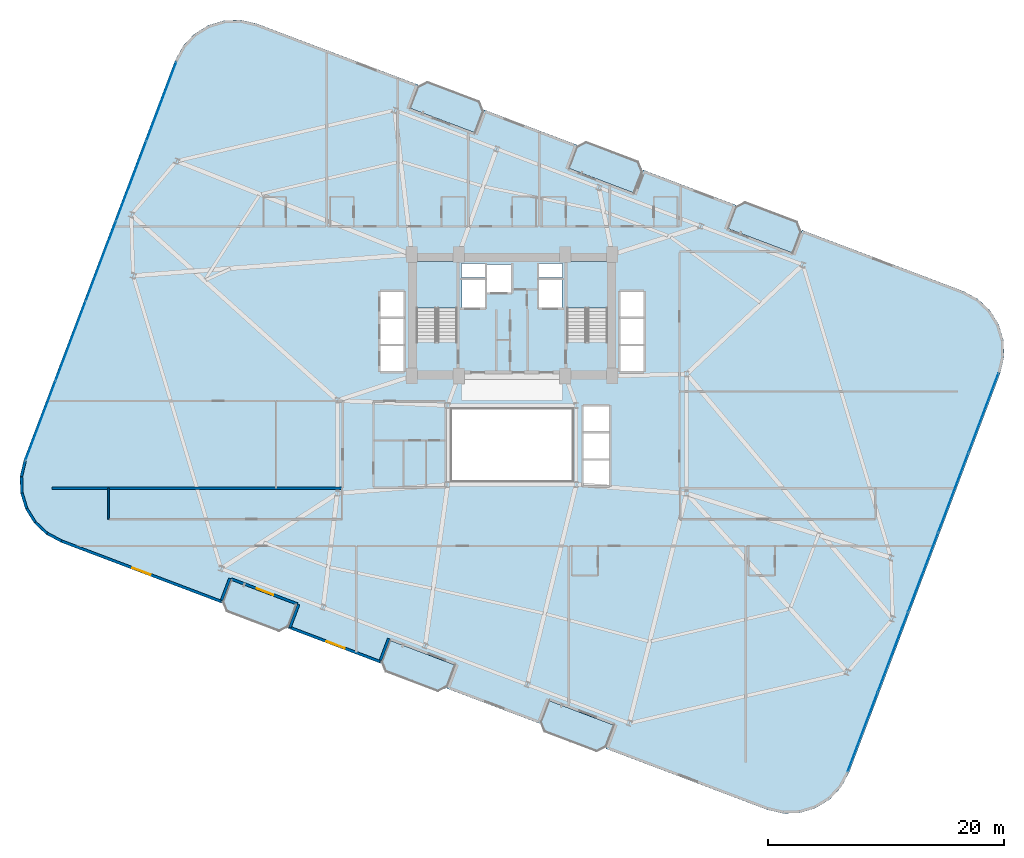
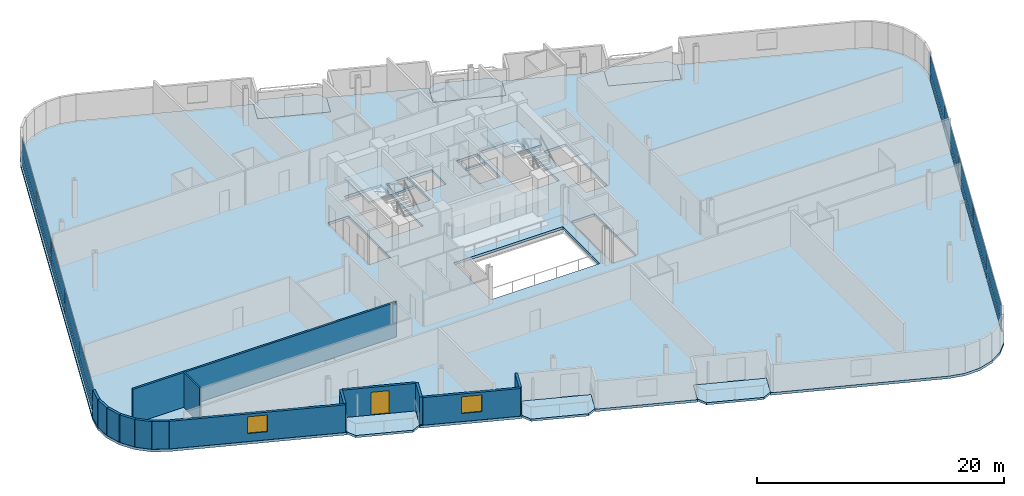
# One storey, part 16 of 24: 20 plates, 14 walls, 9 slabs, 2 windows, 1 door, 3 openings, 4 elements without a shape of their own.
"""IFC4 building model written with IfcOpenShell, lengths in metres."""

from ifc_helpers import new_model, si_unit, direction, frame, frame_2d, origin, origin_2d, place, context, subcontext, project, spatial, polyline, rectangle, outline, extrude, source, transform, mapped, material, layer, layer_set, type_object, element, fill, aggregate, save


model = new_model("IFC4")

# Units and contexts
model_context = context("Model", 3, precision=1e-05, world=origin(), true_north=direction((0.0, 1.0)))
body_context = subcontext(model_context, "Body", "Model", "MODEL_VIEW")
ifc_project = project(units=[si_unit("LENGTHUNIT", "METRE"), si_unit("AREAUNIT", "SQUARE_METRE"), si_unit("VOLUMEUNIT", "CUBIC_METRE"), si_unit("PLANEANGLEUNIT", "RADIAN"), si_unit("MASSUNIT", "GRAM", prefix="KILO")], contexts=[model_context])

# Site, building, storey
site_placement = place(None, origin())
site = spatial("IfcSite", under=ifc_project, at=site_placement, CompositionType="ELEMENT")
building_placement = place(site_placement, origin())
building = spatial("IfcBuilding", under=site, at=building_placement, Name="Varnelok Gate Tower", CompositionType="ELEMENT")
storey_placement = place(building_placement, frame((0.0, 0.0, 94.699951171875)))
storey = spatial("IfcBuildingStorey", under=building, at=storey_placement, Name="L23", CompositionType="ELEMENT", Elevation=94.699951171875)

# Slabs
ifc_material_1 = material(Name="Concrete C45/55", Category="concrete")
ifc_layer_1 = layer(ifc_material_1, 0.219970703125)
ifc_layer_set_1 = layer_set([ifc_layer_1], Name="Concrete C45/55")
slab_type_1 = type_object("IfcSlabType", Name="SLB-BALC-220", PredefinedType="FLOOR", material=ifc_layer_set_1)
slab_1_placement = place(storey_placement, frame((0.0, 0.0, -0.219970703125)))
element("IfcSlab", 1, at=slab_1_placement, inside=storey, type_object=slab_type_1, Name="L23 South Hollow Balcony 1", PredefinedType="FLOOR", context=body_context, shape_type="SweptSolid", body=[
    extrude(outline(polyline([(14.64208984375, 9.576416015625), (15.019775390625, 8.738525390625), (19.415283203125, 7.074462890625), (20.25341796875, 7.4521484375), (20.96142578125, 9.322509765625), (15.35009765625, 11.447021484375), (14.64208984375, 9.576416015625)])), origin(), (0.0, 0.0, 1.0), 0.219970703125),
])
slab_2_placement = place(storey_placement, frame((0.0, 0.0, -0.219970703125)))
element("IfcSlab", 2, at=slab_2_placement, inside=storey, type_object=slab_type_1, Name="L23 South Hollow Balcony 2", PredefinedType="FLOOR", context=body_context, shape_type="SweptSolid", body=[
    extrude(outline(polyline([(28.109375, 4.47802734375), (28.487060546875, 3.639892578125), (32.882568359375, 1.975830078125), (33.720703125, 2.353515625), (34.4287109375, 4.22412109375), (28.8173828125, 6.348388671875), (28.109375, 4.47802734375)])), origin(), (0.0, 0.0, 1.0), 0.219970703125),
])
slab_3_placement = place(storey_placement, frame((0.0, 0.0, -0.219970703125)))
element("IfcSlab", 3, at=slab_3_placement, inside=storey, type_object=slab_type_1, Name="L23 South Hollow Balcony 3", PredefinedType="FLOOR", context=body_context, shape_type="SweptSolid", body=[
    extrude(outline(polyline([(41.576416015625, -0.62060546875), (41.9541015625, -1.45849609375), (46.349853515625, -3.12255859375), (47.187744140625, -2.744873046875), (47.89599609375, -0.87451171875), (42.28466796875, 1.25), (41.576416015625, -0.62060546875)])), origin(), (0.0, 0.0, 1.0), 0.219970703125),
])
slab_4_placement = place(storey_placement, frame((0.0, 0.0, -0.219970703125)))
element("IfcSlab", 4, at=slab_4_placement, inside=storey, type_object=slab_type_1, Name="L23 North Hollow Balcony 1", PredefinedType="FLOOR", context=body_context, shape_type="SweptSolid", body=[
    extrude(outline(polyline([(30.504150390625, 51.474365234375), (36.115478515625, 49.35009765625), (36.823486328125, 51.220458984375), (36.44580078125, 52.05859375), (32.05029296875, 53.72265625), (31.212158203125, 53.344970703125), (30.504150390625, 51.474365234375)])), origin(), (0.0, 0.0, 1.0), 0.219970703125),
])
slab_5_placement = place(storey_placement, frame((0.0, 0.0, -0.219970703125)))
element("IfcSlab", 5, at=slab_5_placement, inside=storey, type_object=slab_type_1, Name="L23 North Hollow Balcony 2", PredefinedType="FLOOR", context=body_context, shape_type="SweptSolid", body=[
    extrude(outline(polyline([(43.97119140625, 46.3759765625), (49.58251953125, 44.251708984375), (50.290771484375, 46.1220703125), (49.9130859375, 46.9599609375), (45.517333984375, 48.6240234375), (44.679443359375, 48.246337890625), (43.97119140625, 46.3759765625)])), origin(), (0.0, 0.0, 1.0), 0.219970703125),
])
slab_6_placement = place(storey_placement, frame((0.0, 0.0, -0.219970703125)))
element("IfcSlab", 6, at=slab_6_placement, inside=storey, type_object=slab_type_1, Name="L23 North Hollow Balcony 3", PredefinedType="FLOOR", context=body_context, shape_type="SweptSolid", body=[
    extrude(outline(polyline([(57.4384765625, 41.27734375), (63.0498046875, 39.153076171875), (63.7578125, 41.0234375), (63.380126953125, 41.861572265625), (58.984619140625, 43.525634765625), (58.146484375, 43.14794921875), (57.4384765625, 41.27734375)])), origin(), (0.0, 0.0, 1.0), 0.219970703125),
])

# Stair, slab
ifc_material_2 = material(Name="Concrete C50/60", Category="concrete")
stair_type = type_object("IfcStairType", Name="STR-CORE-1650", PredefinedType="HALF_TURN_STAIR", material=ifc_material_2)
stair_1_placement = place(storey_placement, origin())
stair_1 = element("IfcStair", 7, at=stair_1_placement, inside=storey, type_object=stair_type, Name="L23 Exit Stair ST-1", PredefinedType="HALF_TURN_STAIR")
ifc_layer_2 = layer(ifc_material_1, 0.199951171875)
ifc_layer_set_2 = layer_set([ifc_layer_2], Name="Concrete C45/55")
slab_type_2 = type_object("IfcSlabType", Name="SLB-LAND-200", PredefinedType="LANDING", material=ifc_layer_set_2)
slab_7_placement = place(storey_placement, frame((0.0, 0.0, 1.650146484375)))
slab_7 = element("IfcSlab", 8, at=slab_7_placement, type_object=slab_type_2, Name="ST-1 landing 1", PredefinedType="LANDING", context=body_context, shape_type="SweptSolid", body=[
    extrude(outline(polyline([(34.550048828125, 34.5), (34.550048828125, 38.449951171875), (31.10009765625, 38.449951171875), (31.10009765625, 34.5), (34.550048828125, 34.5)])), origin(), (0.0, 0.0, 1.0), 0.199951171875),
])
aggregate(stair_1, [slab_7])

stair_2_placement = place(storey_placement, origin())
stair_2 = element("IfcStair", 9, at=stair_2_placement, inside=storey, type_object=stair_type, Name="L23 Exit Stair ST-2", PredefinedType="HALF_TURN_STAIR")
slab_8_placement = place(storey_placement, frame((0.0, 0.0, 1.650146484375)))
slab_8 = element("IfcSlab", 10, at=slab_8_placement, type_object=slab_type_2, Name="ST-2 landing 1", PredefinedType="LANDING", context=body_context, shape_type="SweptSolid", body=[
    extrude(outline(polyline([(47.300048828125, 34.5), (47.300048828125, 38.449951171875), (43.85009765625, 38.449951171875), (43.85009765625, 34.5), (47.300048828125, 34.5)])), origin(), (0.0, 0.0, 1.0), 0.199951171875),
])
aggregate(stair_2, [slab_8])

# Slab
ifc_layer_3 = layer(ifc_material_2, 0.25)
ifc_layer_set_3 = layer_set([ifc_layer_3], Name="Concrete C50/60")
slab_type_3 = type_object("IfcSlabType", Name="SLB-TYP-250", PredefinedType="FLOOR", material=ifc_layer_set_3)
slab_9_placement = place(storey_placement, frame((0.0, 0.0, -0.25)))
element("IfcSlab", 11, at=slab_9_placement, inside=storey, type_object=slab_type_3, Name="L23 Structural Floor Slab", PredefinedType="FLOOR", context=body_context, shape_type="SweptSolid", body=[
    extrude(outline(polyline([(-2.185791015625, 21.614501953125), (-2.508544921875, 20.2421875), (-2.465087890625, 18.833251953125), (-2.05859375, 17.4833984375), (-1.31640625, 16.284912109375), (-0.28955078125, 15.319091796875), (0.952392578125, 14.65234375), (12.05029296875, 10.45068359375), (14.606689453125, 9.48291015625), (15.35009765625, 11.447021484375), (20.96142578125, 9.322509765625), (20.218017578125, 7.358642578125), (28.073974609375, 4.384521484375), (28.8173828125, 6.348388671875), (34.4287109375, 4.22412109375), (33.685302734375, 2.260009765625), (41.541015625, -0.714111328125), (42.28466796875, 1.25), (47.89599609375, -0.87451171875), (47.15234375, -2.83837890625), (49.708740234375, -3.80615234375), (60.806640625, -8.0078125), (62.1787109375, -8.33056640625), (63.587890625, -8.287109375), (64.937744140625, -7.880615234375), (66.13623046875, -7.138427734375), (67.101806640625, -6.111328125), (67.768798828125, -4.869384765625), (80.585693359375, 28.985595703125), (80.90869140625, 30.35791015625), (80.865234375, 31.766845703125), (80.45849609375, 33.11669921875), (79.716552734375, 34.315185546875), (78.689453125, 35.28076171875), (77.447509765625, 35.94775390625), (66.349609375, 40.1494140625), (63.793212890625, 41.116943359375), (63.0498046875, 39.153076171875), (57.4384765625, 41.27734375), (58.181884765625, 43.241455078125), (50.326171875, 46.215576171875), (49.58251953125, 44.251708984375), (43.97119140625, 46.3759765625), (44.71484375, 48.33984375), (36.85888671875, 51.31396484375), (36.115478515625, 49.35009765625), (30.504150390625, 51.474365234375), (31.24755859375, 53.4384765625), (28.69140625, 54.40625), (17.593505859375, 58.607666015625), (16.22119140625, 58.930419921875), (14.81201171875, 58.886962890625), (13.46240234375, 58.48046875), (12.263916015625, 57.73828125), (11.298095703125, 56.71142578125), (10.631103515625, 55.469482421875), (-2.185791015625, 21.614501953125)]), holes=[polyline([(34.550048828125, 31.679931640625), (34.550048828125, 38.449951171875), (31.10009765625, 38.449951171875), (31.10009765625, 31.679931640625), (34.550048828125, 31.679931640625)]), polyline([(47.300048828125, 31.679931640625), (47.300048828125, 38.449951171875), (43.85009765625, 38.449951171875), (43.85009765625, 31.679931640625), (47.300048828125, 31.679931640625)]), polyline([(34.949951171875, 34.550048828125), (36.89990234375, 34.550048828125), (36.89990234375, 36.89990234375), (34.949951171875, 36.89990234375), (34.949951171875, 34.550048828125)]), polyline([(41.5, 34.550048828125), (43.449951171875, 34.550048828125), (43.449951171875, 36.89990234375), (41.5, 36.89990234375), (41.5, 34.550048828125)]), polyline([(37.050048828125, 35.85009765625), (39.14990234375, 35.85009765625), (39.14990234375, 38.199951171875), (37.050048828125, 38.199951171875), (37.050048828125, 35.85009765625)]), polyline([(28.050048828125, 29.14990234375), (30.050048828125, 29.14990234375), (30.050048828125, 35.89990234375), (28.050048828125, 35.89990234375), (28.050048828125, 29.14990234375)]), polyline([(48.35009765625, 29.14990234375), (50.35009765625, 29.14990234375), (50.35009765625, 35.89990234375), (48.35009765625, 35.89990234375), (48.35009765625, 29.14990234375)]), polyline([(45.25, 19.449951171875), (47.449951171875, 19.449951171875), (47.449951171875, 26.199951171875), (45.25, 26.199951171875), (45.25, 19.449951171875)]), polyline([(34.919921875, 37.080078125), (36.89990234375, 37.080078125), (36.89990234375, 38.280029296875), (34.919921875, 38.280029296875), (34.919921875, 37.080078125)]), polyline([(41.5, 37.080078125), (43.47998046875, 37.080078125), (43.47998046875, 38.280029296875), (41.5, 38.280029296875), (41.5, 37.080078125)]), polyline([(34.10009765625, 19.89990234375), (44.300048828125, 19.89990234375), (44.300048828125, 25.89990234375), (34.10009765625, 25.89990234375), (34.10009765625, 19.89990234375)])]), origin(), (0.0, 0.0, 1.0), 0.25),
])

# Curtain wall, plates
ifc_material_3 = material(Name="Anodized Aluminum Alloy 6063-T6", Category="aluminium")
ifc_layer_4 = layer(ifc_material_3, 0.179931640625)
ifc_layer_set_4 = layer_set([ifc_layer_4], Name="Anodized Aluminum Alloy 6063-T6")
curtain_wall_type = type_object("IfcCurtainWallType", Name="CW3-HOTEL-VISION", PredefinedType="USERDEFINED", material=ifc_layer_set_4)
curtain_wall_1_placement = place(storey_placement, origin())
curtain_wall_1 = element("IfcCurtainWall", 12, at=curtain_wall_1_placement, inside=storey, type_object=curtain_wall_type, Name="L23 West End Vision Curtain Wall", ObjectType="UNITISED CURTAIN WALL", PredefinedType="USERDEFINED")
ifc_material_4 = material(Name="Low-E Laminated Double Glazing IGU", Category="glass")
ifc_layer_5 = layer(ifc_material_4, 0.031982421875)
ifc_layer_set_5 = layer_set([ifc_layer_5], Name="Low-E Laminated Double Glazing IGU")
plate_type = type_object("IfcPlateType", Name="CW-PNL-IGU32", PredefinedType="CURTAIN_PANEL", material=ifc_layer_set_5)
shared_shape_1 = source(origin(), body_context, "Body", "SweptSolid", [
    extrude(rectangle(XDim=7.142578125, YDim=0.031982421875, at=origin_2d()), origin(), (0.0, 0.0, 1.0), 0.802490234375),
])
plate_1_placement = place(storey_placement, frame((-0.767333984375, 24.965576171875, 0.06494140625), z_axis=(0.0, 0.0, 1.0), x_axis=(0.354063660545, 0.935221323688, 0.0)))
plate_1 = element("IfcPlate", 13, at=plate_1_placement, type_object=plate_type, Name="CW3 panel 1.1", PredefinedType="CURTAIN_PANEL", context=body_context, shape_type="MappedRepresentation", body=[
    mapped(shared_shape_1, transform((0.0, 0.0, 0.0), scale=1.0)),
])
plate_2_placement = place(storey_placement, frame((9.474853515625, 52.019287109375, 0.06494140625), z_axis=(0.0, 0.0, 1.0), x_axis=(0.354063660545, 0.935221323688, 0.0)))
plate_2 = element("IfcPlate", 14, at=plate_2_placement, type_object=plate_type, Name="CW3 panel 5.1", PredefinedType="CURTAIN_PANEL", context=body_context, shape_type="MappedRepresentation", body=[
    mapped(shared_shape_1, transform((0.0, 0.0, 0.0), scale=1.0)),
])

curtain_wall_2_placement = place(storey_placement, origin())
curtain_wall_2 = element("IfcCurtainWall", 15, at=curtain_wall_2_placement, inside=storey, type_object=curtain_wall_type, Name="L23 East End Vision Curtain Wall", ObjectType="UNITISED CURTAIN WALL", PredefinedType="USERDEFINED")
plate_3_placement = place(storey_placement, frame((79.16748046875, 25.634521484375, 0.06494140625), z_axis=(0.0, 0.0, 1.0), x_axis=(-0.354063660545, -0.935221323688, 0.0)))
plate_3 = element("IfcPlate", 16, at=plate_3_placement, type_object=plate_type, Name="CW3 panel 1.1", PredefinedType="CURTAIN_PANEL", context=body_context, shape_type="MappedRepresentation", body=[
    mapped(shared_shape_1, transform((0.0, 0.0, 0.0), scale=1.0)),
])
plate_4_placement = place(storey_placement, frame((68.92529296875, -1.419189453125, 0.06494140625), z_axis=(0.0, 0.0, 1.0), x_axis=(-0.354063660545, -0.935221323688, 0.0)))
plate_4 = element("IfcPlate", 17, at=plate_4_placement, type_object=plate_type, Name="CW3 panel 5.1", PredefinedType="CURTAIN_PANEL", context=body_context, shape_type="MappedRepresentation", body=[
    mapped(shared_shape_1, transform((0.0, 0.0, 0.0), scale=1.0)),
])

# Plate
shared_shape_2 = source(origin(), body_context, "Body", "SweptSolid", [
    extrude(rectangle(XDim=7.142578125, YDim=0.031982421875, at=origin_2d()), origin(), (0.0, 0.0, 1.0), 1.732421875),
])
plate_5_placement = place(storey_placement, frame((-0.767333984375, 24.965576171875, 0.9326171875), z_axis=(0.0, 0.0, 1.0), x_axis=(0.354063660545, 0.935221323688, 0.0)))
plate_5 = element("IfcPlate", 18, at=plate_5_placement, type_object=plate_type, Name="CW3 panel 1.2", PredefinedType="CURTAIN_PANEL", context=body_context, shape_type="MappedRepresentation", body=[
    mapped(shared_shape_2, transform((0.0, 0.0, 0.0), scale=1.0)),
])

plate_6_placement = place(storey_placement, frame((9.474853515625, 52.019287109375, 0.9326171875), z_axis=(0.0, 0.0, 1.0), x_axis=(0.354063660545, 0.935221323688, 0.0)))
plate_6 = element("IfcPlate", 19, at=plate_6_placement, type_object=plate_type, Name="CW3 panel 5.2", PredefinedType="CURTAIN_PANEL", context=body_context, shape_type="MappedRepresentation", body=[
    mapped(shared_shape_2, transform((0.0, 0.0, 0.0), scale=1.0)),
])

plate_7_placement = place(storey_placement, frame((79.16748046875, 25.634521484375, 0.9326171875), z_axis=(0.0, 0.0, 1.0), x_axis=(-0.354063660545, -0.935221323688, 0.0)))
plate_7 = element("IfcPlate", 20, at=plate_7_placement, type_object=plate_type, Name="CW3 panel 1.2", PredefinedType="CURTAIN_PANEL", context=body_context, shape_type="MappedRepresentation", body=[
    mapped(shared_shape_2, transform((0.0, 0.0, 0.0), scale=1.0)),
])

plate_8_placement = place(storey_placement, frame((68.92529296875, -1.419189453125, 0.9326171875), z_axis=(0.0, 0.0, 1.0), x_axis=(-0.354063660545, -0.935221323688, 0.0)))
plate_8 = element("IfcPlate", 21, at=plate_8_placement, type_object=plate_type, Name="CW3 panel 5.2", PredefinedType="CURTAIN_PANEL", context=body_context, shape_type="MappedRepresentation", body=[
    mapped(shared_shape_2, transform((0.0, 0.0, 0.0), scale=1.0)),
])

shared_shape_3 = source(origin(), body_context, "Body", "SweptSolid", [
    extrude(rectangle(XDim=7.175048828125, YDim=0.031982421875, at=origin_2d()), origin(), (0.0, 0.0, 1.0), 0.802490234375),
])
plate_9_placement = place(storey_placement, frame((1.790283203125, 31.721435546875, 0.06494140625), z_axis=(0.0, 0.0, 1.0), x_axis=(0.354063660545, 0.935221323688, 0.0)))
plate_9 = element("IfcPlate", 22, at=plate_9_placement, type_object=plate_type, Name="CW3 panel 2.1", PredefinedType="CURTAIN_PANEL", context=body_context, shape_type="MappedRepresentation", body=[
    mapped(shared_shape_3, transform((0.0, 0.0, 0.0), scale=1.0)),
])

plate_10_placement = place(storey_placement, frame((4.353759765625, 38.492431640625, 0.06494140625), z_axis=(0.0, 0.0, 1.0), x_axis=(0.354063660545, 0.935221323688, 0.0)))
plate_10 = element("IfcPlate", 23, at=plate_10_placement, type_object=plate_type, Name="CW3 panel 3.1", PredefinedType="CURTAIN_PANEL", context=body_context, shape_type="MappedRepresentation", body=[
    mapped(shared_shape_3, transform((0.0, 0.0, 0.0), scale=1.0)),
])

plate_11_placement = place(storey_placement, frame((6.9169921875, 45.263427734375, 0.06494140625), z_axis=(0.0, 0.0, 1.0), x_axis=(0.354063660545, 0.935221323688, 0.0)))
plate_11 = element("IfcPlate", 24, at=plate_11_placement, type_object=plate_type, Name="CW3 panel 4.1", PredefinedType="CURTAIN_PANEL", context=body_context, shape_type="MappedRepresentation", body=[
    mapped(shared_shape_3, transform((0.0, 0.0, 0.0), scale=1.0)),
])

plate_12_placement = place(storey_placement, frame((76.60986328125, 18.878662109375, 0.06494140625), z_axis=(0.0, 0.0, 1.0), x_axis=(-0.354063660545, -0.935221323688, 0.0)))
plate_12 = element("IfcPlate", 25, at=plate_12_placement, type_object=plate_type, Name="CW3 panel 2.1", PredefinedType="CURTAIN_PANEL", context=body_context, shape_type="MappedRepresentation", body=[
    mapped(shared_shape_3, transform((0.0, 0.0, 0.0), scale=1.0)),
])

plate_13_placement = place(storey_placement, frame((74.04638671875, 12.107666015625, 0.06494140625), z_axis=(0.0, 0.0, 1.0), x_axis=(-0.354063660545, -0.935221323688, 0.0)))
plate_13 = element("IfcPlate", 26, at=plate_13_placement, type_object=plate_type, Name="CW3 panel 3.1", PredefinedType="CURTAIN_PANEL", context=body_context, shape_type="MappedRepresentation", body=[
    mapped(shared_shape_3, transform((0.0, 0.0, 0.0), scale=1.0)),
])

plate_14_placement = place(storey_placement, frame((71.48291015625, 5.336669921875, 0.06494140625), z_axis=(0.0, 0.0, 1.0), x_axis=(-0.354063660545, -0.935221323688, 0.0)))
plate_14 = element("IfcPlate", 27, at=plate_14_placement, type_object=plate_type, Name="CW3 panel 4.1", PredefinedType="CURTAIN_PANEL", context=body_context, shape_type="MappedRepresentation", body=[
    mapped(shared_shape_3, transform((0.0, 0.0, 0.0), scale=1.0)),
])

shared_shape_4 = source(origin(), body_context, "Body", "SweptSolid", [
    extrude(rectangle(XDim=7.175048828125, YDim=0.031982421875, at=origin_2d()), origin(), (0.0, 0.0, 1.0), 1.732421875),
])
plate_15_placement = place(storey_placement, frame((1.790283203125, 31.721435546875, 0.9326171875), z_axis=(0.0, 0.0, 1.0), x_axis=(0.354063660545, 0.935221323688, 0.0)))
plate_15 = element("IfcPlate", 28, at=plate_15_placement, type_object=plate_type, Name="CW3 panel 2.2", PredefinedType="CURTAIN_PANEL", context=body_context, shape_type="MappedRepresentation", body=[
    mapped(shared_shape_4, transform((0.0, 0.0, 0.0), scale=1.0)),
])

plate_16_placement = place(storey_placement, frame((4.353759765625, 38.492431640625, 0.9326171875), z_axis=(0.0, 0.0, 1.0), x_axis=(0.354063660545, 0.935221323688, 0.0)))
plate_16 = element("IfcPlate", 29, at=plate_16_placement, type_object=plate_type, Name="CW3 panel 3.2", PredefinedType="CURTAIN_PANEL", context=body_context, shape_type="MappedRepresentation", body=[
    mapped(shared_shape_4, transform((0.0, 0.0, 0.0), scale=1.0)),
])

plate_17_placement = place(storey_placement, frame((6.9169921875, 45.263427734375, 0.9326171875), z_axis=(0.0, 0.0, 1.0), x_axis=(0.354063660545, 0.935221323688, 0.0)))
plate_17 = element("IfcPlate", 30, at=plate_17_placement, type_object=plate_type, Name="CW3 panel 4.2", PredefinedType="CURTAIN_PANEL", context=body_context, shape_type="MappedRepresentation", body=[
    mapped(shared_shape_4, transform((0.0, 0.0, 0.0), scale=1.0)),
])

aggregate(curtain_wall_1, [plate_1, plate_5, plate_9, plate_15, plate_10, plate_16, plate_11, plate_17, plate_2, plate_6])

plate_18_placement = place(storey_placement, frame((76.60986328125, 18.878662109375, 0.9326171875), z_axis=(0.0, 0.0, 1.0), x_axis=(-0.354063660545, -0.935221323688, 0.0)))
plate_18 = element("IfcPlate", 31, at=plate_18_placement, type_object=plate_type, Name="CW3 panel 2.2", PredefinedType="CURTAIN_PANEL", context=body_context, shape_type="MappedRepresentation", body=[
    mapped(shared_shape_4, transform((0.0, 0.0, 0.0), scale=1.0)),
])

plate_19_placement = place(storey_placement, frame((74.04638671875, 12.107666015625, 0.9326171875), z_axis=(0.0, 0.0, 1.0), x_axis=(-0.354063660545, -0.935221323688, 0.0)))
plate_19 = element("IfcPlate", 32, at=plate_19_placement, type_object=plate_type, Name="CW3 panel 3.2", PredefinedType="CURTAIN_PANEL", context=body_context, shape_type="MappedRepresentation", body=[
    mapped(shared_shape_4, transform((0.0, 0.0, 0.0), scale=1.0)),
])

plate_20_placement = place(storey_placement, frame((71.48291015625, 5.336669921875, 0.9326171875), z_axis=(0.0, 0.0, 1.0), x_axis=(-0.354063660545, -0.935221323688, 0.0)))
plate_20 = element("IfcPlate", 33, at=plate_20_placement, type_object=plate_type, Name="CW3 panel 4.2", PredefinedType="CURTAIN_PANEL", context=body_context, shape_type="MappedRepresentation", body=[
    mapped(shared_shape_4, transform((0.0, 0.0, 0.0), scale=1.0)),
])

aggregate(curtain_wall_2, [plate_3, plate_7, plate_12, plate_18, plate_13, plate_19, plate_14, plate_20, plate_4, plate_8])

# Wall, opening, door
ifc_layer_6 = layer(ifc_material_1, 0.219970703125)
ifc_layer_set_6 = layer_set([ifc_layer_6], Name="Concrete C45/55")
wall_type_1 = type_object("IfcWallType", Name="EW-BALC-220", PredefinedType="SOLIDWALL", material=ifc_layer_set_6)
wall_1_placement = place(storey_placement, frame((21.00048828125, 9.42529296875, 0.0), z_axis=(0.0, 0.0, 1.0), x_axis=(-0.93521416643, 0.354082565101, 0.0)))
wall_1 = element("IfcWall", 34, at=wall_1_placement, inside=storey, type_object=wall_type_1, Name="L23 South Terrace Envelope Wall 1", PredefinedType="SOLIDWALL", context=body_context, shape_type="SweptSolid", body=[
    extrude(rectangle(XDim=6.0, YDim=0.219970703125, at=frame_2d((3.0, 0.0))), origin(), (0.0, 0.0, 1.0), 2.72998046875),
])
opening_1_placement = place(wall_1_placement, frame((2.176025390625, 0.0, 0.0)))
opening_1 = element("IfcOpeningElement", 35, at=opening_1_placement, cuts=wall_1, Name="Opening BD-1", PredefinedType="OPENING", context=body_context, shape_type="SweptSolid", body=[
    extrude(rectangle(XDim=1.5, YDim=2.25, at=frame_2d((0.75, 1.125))), frame((0.0, 0.119873046875, 0.0), z_axis=(0.0, -1.0, 0.0), x_axis=(1.0, 0.0, 0.0)), (0.0, 0.0, 1.0), 0.239990234375),
])
door_type = type_object("IfcDoorType", Name="DR-EXT-BALC1500", OperationType="NOTDEFINED", PredefinedType="DOOR", material=ifc_material_3)
door_placement = place(opening_1_placement, origin())
door = element("IfcDoor", 36, at=door_placement, inside=storey, type_object=door_type, Name="L23 South Balcony Glazed Door 1", OperationType="SINGLE_SWING_RIGHT", OverallHeight=2.25, OverallWidth=1.5, PredefinedType="DOOR", context=body_context, shape_type="SweptSolid", body=[
    extrude(rectangle(XDim=1.5, YDim=2.25, at=frame_2d((0.75, 1.125))), frame((0.0, 0.02490234375, 0.0), z_axis=(0.0, -1.0, 0.0), x_axis=(1.0, 0.0, 0.0)), (0.0, 0.0, 1.0), 0.050048828125),
])
fill(opening_1, door)

# Walls
wall_2_placement = place(storey_placement, frame((-2.072509765625, 21.571533203125, 0.0), z_axis=(0.0, 0.0, 1.0), x_axis=(-0.229049207401, -0.973414845063, 0.0)))
element("IfcWall", 37, at=wall_2_placement, inside=storey, type_object=wall_type_1, Name="L23 Perimeter Facade Closure Wall 1", PredefinedType="SOLIDWALL", context=body_context, shape_type="SweptSolid", body=[
    extrude(rectangle(XDim=1.378173828125, YDim=0.219970703125, at=frame_2d((0.68896484375, 0.0))), origin(), (0.0, 0.0, 1.0), 2.72998046875),
])
wall_3_placement = place(storey_placement, frame((-2.387451171875, 20.205078125, 0.0), z_axis=(0.0, 0.0, 1.0), x_axis=(0.030857297317, -0.999523800218, 0.0)))
element("IfcWall", 38, at=wall_3_placement, inside=storey, type_object=wall_type_1, Name="L23 Perimeter Facade Closure Wall 2", PredefinedType="SOLIDWALL", context=body_context, shape_type="SweptSolid", body=[
    extrude(rectangle(XDim=1.35302734375, YDim=0.219970703125, at=frame_2d((0.676513671875, 0.0))), origin(), (0.0, 0.0, 1.0), 2.72998046875),
])
wall_4_placement = place(storey_placement, frame((-2.33837890625, 18.82861328125, 0.0), z_axis=(0.0, 0.0, 1.0), x_axis=(0.288374187109, -0.957517795244, 0.0)))
element("IfcWall", 39, at=wall_4_placement, inside=storey, type_object=wall_type_1, Name="L23 Perimeter Facade Closure Wall 3", PredefinedType="SOLIDWALL", context=body_context, shape_type="SweptSolid", body=[
    extrude(rectangle(XDim=1.352783203125, YDim=0.219970703125, at=frame_2d((0.67626953125, 0.0))), origin(), (0.0, 0.0, 1.0), 2.72998046875),
])
wall_5_placement = place(storey_placement, frame((-1.93505859375, 17.511962890625, 0.0), z_axis=(0.0, 0.0, 1.0), x_axis=(0.526360826676, -0.850261301096, 0.0)))
element("IfcWall", 40, at=wall_5_placement, inside=storey, type_object=wall_type_1, Name="L23 Perimeter Facade Closure Wall 4", PredefinedType="SOLIDWALL", context=body_context, shape_type="SweptSolid", body=[
    extrude(rectangle(XDim=1.35302734375, YDim=0.219970703125, at=frame_2d((0.676513671875, 0.0))), origin(), (0.0, 0.0, 1.0), 2.72998046875),
])
wall_6_placement = place(storey_placement, frame((-1.20458984375, 16.344482421875, 0.0), z_axis=(0.0, 0.0, 1.0), x_axis=(0.7285124142, -0.685032599484, 0.0)))
element("IfcWall", 41, at=wall_6_placement, inside=storey, type_object=wall_type_1, Name="L23 Perimeter Facade Closure Wall 5", PredefinedType="SOLIDWALL", context=body_context, shape_type="SweptSolid", body=[
    extrude(rectangle(XDim=1.353271484375, YDim=0.219970703125, at=frame_2d((0.6767578125, 0.0))), origin(), (0.0, 0.0, 1.0), 2.72998046875),
])
wall_7_placement = place(storey_placement, frame((-0.19677734375, 15.405517578125, 0.0), z_axis=(0.0, 0.0, 1.0), x_axis=(0.881023507585, -0.47307248819, 0.0)))
element("IfcWall", 42, at=wall_7_placement, inside=storey, type_object=wall_type_1, Name="L23 Perimeter Facade Closure Wall 6", PredefinedType="SOLIDWALL", context=body_context, shape_type="SweptSolid", body=[
    extrude(rectangle(XDim=1.36083984375, YDim=0.219970703125, at=frame_2d((0.680419921875, 0.0))), origin(), (0.0, 0.0, 1.0), 2.72998046875),
])

# Wall, opening, window
wall_8_placement = place(storey_placement, frame((1.025634765625, 14.7529296875, 0.0), z_axis=(0.0, 0.0, 1.0), x_axis=(0.935222448475, -0.354060689526, 0.0)))
wall_8 = element("IfcWall", 43, at=wall_8_placement, inside=storey, type_object=wall_type_1, Name="L23 Perimeter Facade Closure Wall 7", PredefinedType="SOLIDWALL", context=body_context, shape_type="SweptSolid", body=[
    extrude(rectangle(XDim=14.447265625, YDim=0.219970703125, at=frame_2d((7.2236328125, 0.0))), origin(), (0.0, 0.0, 1.0), 2.72998046875),
])
opening_2_placement = place(wall_8_placement, frame((6.398681640625, 0.0, 0.800048828125)))
opening_2 = element("IfcOpeningElement", 44, at=opening_2_placement, cuts=wall_8, Name="Opening WN3", PredefinedType="OPENING", context=body_context, shape_type="SweptSolid", body=[
    extrude(rectangle(XDim=1.64990234375, YDim=1.64990234375, at=frame_2d((0.824951171875, 0.824951171875))), frame((0.0, 0.119873046875, 0.0), z_axis=(0.0, -1.0, 0.0), x_axis=(1.0, 0.0, 0.0)), (0.0, 0.0, 1.0), 0.239990234375),
])
window_type = type_object("IfcWindowType", Name="WN-HTL-1650", PartitioningType="SINGLE_PANEL", PredefinedType="WINDOW", material=ifc_material_4)
window_1_placement = place(opening_2_placement, origin())
window_1 = element("IfcWindow", 45, at=window_1_placement, inside=storey, type_object=window_type, Name="L23 Perimeter Vision Window 7", OverallHeight=1.64990234375, OverallWidth=1.64990234375, PartitioningType="SINGLE_PANEL", PredefinedType="WINDOW", context=body_context, shape_type="SweptSolid", body=[
    extrude(rectangle(XDim=1.64990234375, YDim=1.64990234375, at=frame_2d((0.824951171875, 0.824951171875))), frame((0.0, 0.030029296875, 0.0), z_axis=(0.0, -1.0, 0.0), x_axis=(1.0, 0.0, 0.0)), (0.0, 0.0, 1.0), 0.06005859375),
])
fill(opening_2, window_1)

# Walls
wall_9_placement = place(storey_placement, frame((14.581298828125, 9.754638671875, 0.0), z_axis=(0.0, 0.0, 1.0), x_axis=(0.354061611705, 0.935222099352, 0.0)))
element("IfcWall", 46, at=wall_9_placement, inside=storey, type_object=wall_type_1, Name="L23 Perimeter Facade Closure Wall 8", PredefinedType="SOLIDWALL", context=body_context, shape_type="SweptSolid", body=[
    extrude(rectangle(XDim=1.974853515625, YDim=0.219970703125, at=frame_2d((0.9873046875, 0.0))), origin(), (0.0, 0.0, 1.0), 2.72998046875),
])
wall_10_placement = place(storey_placement, frame((21.1162109375, 9.392333984375, 0.0), z_axis=(0.0, 0.0, 1.0), x_axis=(-0.353988291547, -0.935249854022, 0.0)))
element("IfcWall", 47, at=wall_10_placement, inside=storey, type_object=wall_type_1, Name="L23 Perimeter Facade Closure Wall 9", PredefinedType="SOLIDWALL", context=body_context, shape_type="SweptSolid", body=[
    extrude(rectangle(XDim=2.10009765625, YDim=0.219970703125, at=frame_2d((1.050048828125, 0.0))), origin(), (0.0, 0.0, 1.0), 2.72998046875),
])

# Wall, opening, window
wall_11_placement = place(storey_placement, frame((20.489501953125, 7.384033203125, 0.0), z_axis=(0.0, 0.0, 1.0), x_axis=(0.935230796934, -0.354038636968, 0.0)))
wall_11 = element("IfcWall", 48, at=wall_11_placement, inside=storey, type_object=wall_type_1, Name="L23 Perimeter Facade Closure Wall 10", PredefinedType="SOLIDWALL", context=body_context, shape_type="SweptSolid", body=[
    extrude(rectangle(XDim=8.03515625, YDim=0.219970703125, at=frame_2d((4.017578125, 0.0))), origin(), (0.0, 0.0, 1.0), 2.72998046875),
])
opening_3_placement = place(wall_11_placement, frame((3.1923828125, 0.0, 0.800048828125)))
opening_3 = element("IfcOpeningElement", 49, at=opening_3_placement, cuts=wall_11, Name="Opening WN3", PredefinedType="OPENING", context=body_context, shape_type="SweptSolid", body=[
    extrude(rectangle(XDim=1.64990234375, YDim=1.64990234375, at=frame_2d((0.824951171875, 0.824951171875))), frame((0.0, 0.119873046875, 0.0), z_axis=(0.0, -1.0, 0.0), x_axis=(1.0, 0.0, 0.0)), (0.0, 0.0, 1.0), 0.239990234375),
])
window_2_placement = place(opening_3_placement, origin())
window_2 = element("IfcWindow", 50, at=window_2_placement, inside=storey, type_object=window_type, Name="L23 Perimeter Vision Window 10", OverallHeight=1.64990234375, OverallWidth=1.64990234375, PartitioningType="SINGLE_PANEL", PredefinedType="WINDOW", context=body_context, shape_type="SweptSolid", body=[
    extrude(rectangle(XDim=1.64990234375, YDim=1.64990234375, at=frame_2d((0.824951171875, 0.824951171875))), frame((0.0, 0.030029296875, 0.0), z_axis=(0.0, -1.0, 0.0), x_axis=(1.0, 0.0, 0.0)), (0.0, 0.0, 1.0), 0.06005859375),
])
fill(opening_3, window_2)

# Walls
wall_12_placement = place(storey_placement, frame((28.04833984375, 4.656005859375, 0.0), z_axis=(0.0, 0.0, 1.0), x_axis=(0.354128791944, 0.935196663123, 0.0)))
element("IfcWall", 51, at=wall_12_placement, inside=storey, type_object=wall_type_1, Name="L23 Perimeter Facade Closure Wall 11", PredefinedType="SOLIDWALL", context=body_context, shape_type="SweptSolid", body=[
    extrude(rectangle(XDim=1.97509765625, YDim=0.219970703125, at=frame_2d((0.987548828125, 0.0))), origin(), (0.0, 0.0, 1.0), 2.72998046875),
])
ifc_material_5 = material(Name="Gypsum Plasterboard Acoustic Partition", Category="gypsum")
ifc_layer_7 = layer(ifc_material_5, 0.179931640625)
ifc_layer_set_7 = layer_set([ifc_layer_7], Name="Gypsum Plasterboard Acoustic Partition")
wall_type_2 = type_object("IfcWallType", Name="PW-CORR-180", PredefinedType="PARTITIONING", material=ifc_layer_set_7)
wall_13_placement = place(storey_placement, frame((0.199951171875, 19.239990234375, 0.0), z_axis=(0.0, 0.0, 1.0), x_axis=(1.0, 0.0, 0.0)))
element("IfcWall", 52, at=wall_13_placement, inside=storey, type_object=wall_type_2, Name="Interior Partition", PredefinedType="PARTITIONING", context=body_context, shape_type="SweptSolid", body=[
    extrude(rectangle(XDim=24.650146484375, YDim=0.179931640625, at=frame_2d((12.3251953125, 0.0))), origin(), (0.0, 0.0, 1.0), 3.449951171875),
])
ifc_layer_8 = layer(ifc_material_5, 0.125)
ifc_layer_set_8 = layer_set([ifc_layer_8], Name="Gypsum Plasterboard Acoustic Partition")
wall_type_3 = type_object("IfcWallType", Name="PW-PART-125", PredefinedType="PARTITIONING", material=ifc_layer_set_8)
wall_14_placement = place(storey_placement, frame((5.0, 16.610107421875, 0.0), z_axis=(0.0, 0.0, 1.0), x_axis=(0.0, 1.0, 0.0)))
element("IfcWall", 53, at=wall_14_placement, inside=storey, type_object=wall_type_3, Name="Interior Partition", PredefinedType="PARTITIONING", context=body_context, shape_type="SweptSolid", body=[
    extrude(rectangle(XDim=2.6298828125, YDim=0.125, at=frame_2d((1.31494140625, 0.0))), origin(), (0.0, 0.0, 1.0), 3.449951171875),
])

save(model, "model.ifc")
